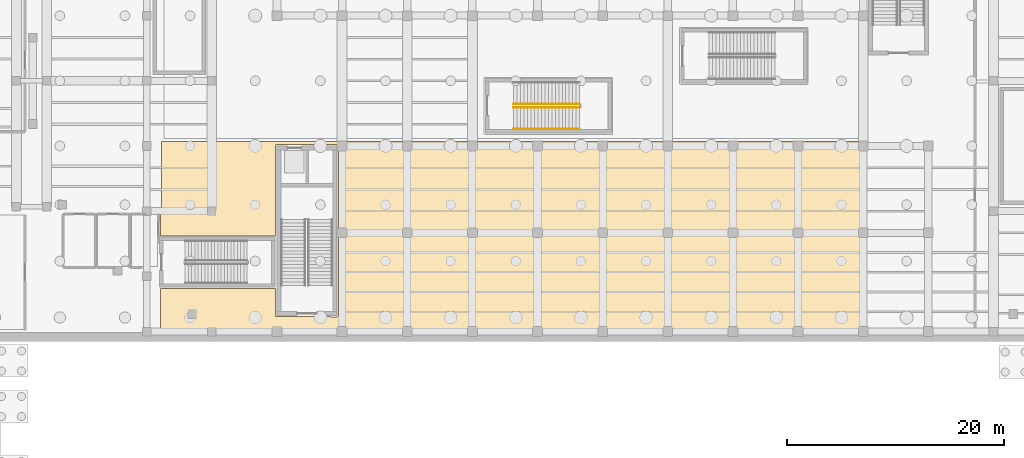
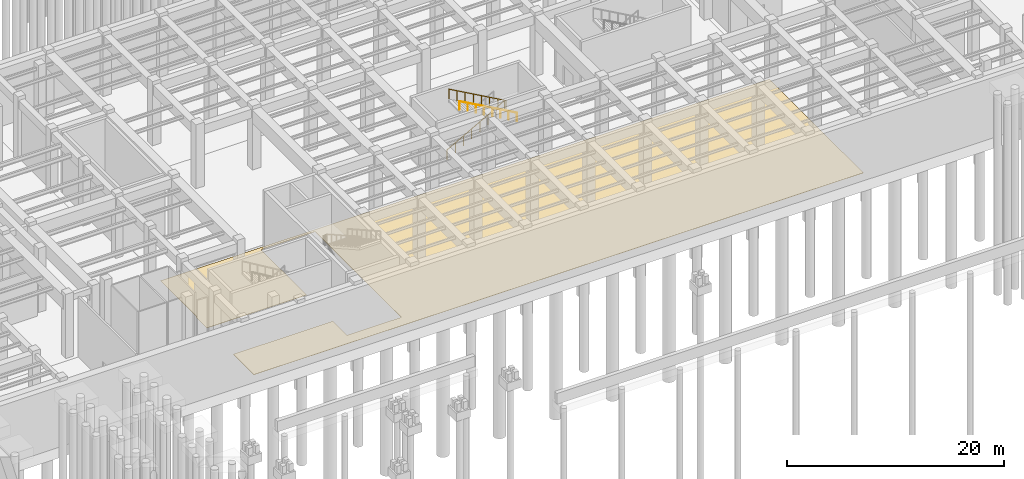
# One storey, part 25 of 30: 3 railings, 1 covering, 1 element without a shape of its own.
"""IFC4 building model written with IfcOpenShell, lengths in metres."""

import ifcopenshell
import ifcopenshell.guid

model = None  # the IFC model being written
_history = None  # IfcOwnerHistory: only IFC2X3 demands one
_inside = {}  # id of a spatial element -> (the spatial element, [elements in it])
_under = {}  # id of a project, library or spatial element -> (it, [spatial elements below it])
_declared = {}  # id of a project -> (the project, [libraries it declares])
_typed = {}  # id of a type object -> (the type object, [elements of that type])
_made_of = {}  # id of a material, layer set ... -> (it, [elements and type objects made of it])


def new_model(schema):
    """Start an empty IFC model of exactly this schema.

    Asked for "IFC4X3", IfcOpenShell would pick the latest addendum, in which some entities
    have other attributes; the version numbers below select the first issue.
    IFC2X3 requires an IfcOwnerHistory on every rooted entity: one is made here for all.
    """
    global model, _history
    if schema == "IFC4X3":
        model = ifcopenshell.file(schema_version=(4, 3, 0, 0))
    else:
        model = ifcopenshell.file(schema=schema)
    _inside.clear()
    _under.clear()
    _declared.clear()
    _typed.clear()
    _made_of.clear()
    _history = None
    if model.schema == "IFC2X3":
        org = make("IfcOrganization", Name="unknown")
        user = make(
            "IfcPersonAndOrganization",
            ThePerson=make("IfcPerson", FamilyName="unknown"),
            TheOrganization=org,
        )
        app = make(
            "IfcApplication",
            ApplicationDeveloper=org,
            Version="unknown",
            ApplicationFullName="unknown",
            ApplicationIdentifier="unknown",
        )
        _history = make(
            "IfcOwnerHistory",
            OwningUser=user,
            OwningApplication=app,
            ChangeAction="ADDED",
            CreationDate=0,
        )
    return model


def make(cls, **values):
    """One entity of the class cls with the attributes given. An attribute that is None is left unset."""
    return model.create_entity(
        cls, **{name: value for name, value in values.items() if value is not None}
    )


def rooted(cls, **values):
    """An entity with a GlobalId (a new one), such as an element, a storey or a relation."""
    return make(cls, GlobalId=ifcopenshell.guid.new(), OwnerHistory=_history, **values)


def si_unit(unit_type, name, prefix=None):
    """IfcSIUnit, for example si_unit("LENGTHUNIT", "METRE", prefix="MILLI")."""
    return make("IfcSIUnit", UnitType=unit_type, Prefix=prefix, Name=name)


def assignment(units):
    """IfcUnitAssignment: the units of a project."""
    return None if units is None else make("IfcUnitAssignment", Units=units)


def point(xyz):
    """IfcCartesianPoint."""
    return None if xyz is None else make("IfcCartesianPoint", Coordinates=xyz)


def direction(xyz):
    """IfcDirection."""
    return None if xyz is None else make("IfcDirection", DirectionRatios=xyz)


def frame(location, z_axis=None, x_axis=None):
    """IfcAxis2Placement3D, a coordinate frame: its origin and axes. An axis left out is left unset."""
    return make(
        "IfcAxis2Placement3D",
        Location=point(location),
        Axis=direction(z_axis),
        RefDirection=direction(x_axis),
    )


def frame_2d(location, x_axis=None):
    """IfcAxis2Placement2D, a coordinate frame in the plane: its origin and x axis."""
    return make(
        "IfcAxis2Placement2D", Location=point(location), RefDirection=direction(x_axis)
    )


def origin():
    """The frame at (0, 0, 0) with its axes left unset."""
    return frame((0.0, 0.0, 0.0))


def origin_2d():
    """The frame at (0, 0) in the plane with its x axis left unset."""
    return frame_2d((0.0, 0.0))


def place(relative_to, where):
    """IfcLocalPlacement: puts the frame where relative to a parent placement (None: the world)."""
    return make(
        "IfcLocalPlacement", PlacementRelTo=relative_to, RelativePlacement=where
    )


def context(
    kind, dimensions, precision=None, world=None, true_north=None, identifier=None
):
    """IfcGeometricRepresentationContext, for example the 3D "Model" context."""
    return make(
        "IfcGeometricRepresentationContext",
        ContextIdentifier=identifier,
        ContextType=kind,
        CoordinateSpaceDimension=dimensions,
        Precision=precision,
        WorldCoordinateSystem=world,
        TrueNorth=true_north,
    )


def subcontext(parent, identifier, kind, view, scale=None):
    """IfcGeometricRepresentationSubContext, for example "Body" below "Model"."""
    return make(
        "IfcGeometricRepresentationSubContext",
        ContextIdentifier=identifier,
        ContextType=kind,
        ParentContext=parent,
        TargetScale=scale,
        TargetView=view,
    )


def project(units=None, contexts=None):
    """IfcProject with its units and contexts."""
    return rooted(
        "IfcProject",
        Name="project",
        RepresentationContexts=contexts,
        UnitsInContext=assignment(units),
    )


def spatial(cls, under=None, at=None, **own):
    """A site, building, storey or space (cls), placed at a placement, below another one or the project."""
    s = rooted(cls, ObjectPlacement=at, **own)
    if under is not None:
        _under.setdefault(under.id(), (under, []))[1].append(s)
    return s


def polyline(points):
    """IfcPolyline through the points."""
    return make("IfcPolyline", Points=[point(p) for p in points])


def profile(cls, at=None, kind="AREA", **sizes):
    """A parametric profile (cls). Its sizes go by their IFC names, for example OverallWidth=200.0."""
    return make(cls, ProfileType=kind, Position=at, **sizes)


def circle(**sizes):
    """IfcCircleProfileDef."""
    return profile("IfcCircleProfileDef", **sizes)


def outline(outer, holes=None, kind="AREA"):
    """IfcArbitraryClosedProfileDef: a profile drawn as a closed curve; with holes, ...WithVoids."""
    if holes is None:
        return make("IfcArbitraryClosedProfileDef", ProfileType=kind, OuterCurve=outer)
    return make(
        "IfcArbitraryProfileDefWithVoids",
        ProfileType=kind,
        OuterCurve=outer,
        InnerCurves=holes,
    )


def extrude(swept, where, along, depth):
    """IfcExtrudedAreaSolid: the profile swept, set in the frame where, extruded along a direction by depth."""
    return make(
        "IfcExtrudedAreaSolid",
        SweptArea=swept,
        Position=where,
        ExtrudedDirection=direction(along),
        Depth=depth,
    )


def shape(context_of_items, identifier, shape_type, items):
    """IfcShapeRepresentation: the items that make up one representation, for example the "Body"."""
    return make(
        "IfcShapeRepresentation",
        ContextOfItems=context_of_items,
        RepresentationIdentifier=identifier,
        RepresentationType=shape_type,
        Items=items,
    )


def material(Name=None, Category=None):
    """IfcMaterial."""
    return make("IfcMaterial", Name=Name, Category=Category)


def layer(
    of_material, thickness, ventilated=None, Name=None, Category=None, Priority=None
):
    """IfcMaterialLayer: one layer of a wall or slab, of a material (None: an air gap)."""
    return make(
        "IfcMaterialLayer",
        Material=of_material,
        LayerThickness=thickness,
        IsVentilated=ventilated,
        Name=Name,
        Category=Category,
        Priority=Priority,
    )


def layer_set(layers, Name=None):
    """IfcMaterialLayerSet."""
    return make("IfcMaterialLayerSet", MaterialLayers=layers, LayerSetName=Name)


def made_of(thing, what):
    """Note that an element or type object is made of a material, layer set ...; save() writes the relation."""
    if what is not None:
        _made_of.setdefault(what.id(), (what, []))[1].append(thing)
    return thing


def type_object(cls, material=None, **own):
    """A type object (cls), such as IfcWallType, which elements share."""
    return made_of(rooted(cls, **own), material)


def element(
    cls,
    number,
    at=None,
    inside=None,
    cuts=None,
    type_object=None,
    material=None,
    context=None,
    identifier="Body",
    shape_type=None,
    held_by="IfcProductDefinitionShape",
    body=None,
    shapes=None,
    **own,
):
    """One element of the class cls, such as IfcWall. Its Tag is "e" and its number.

    at: its placement. inside: the storey or other place that contains it. cuts: it is an
    opening in that element (IfcRelVoidsElement). A single representation is given by context,
    identifier, shape_type and body (its items); several are given by shapes. held_by: the class
    of the entity that holds the representations. save() writes the other relations.
    """
    e = rooted(cls, Tag="e%d" % number, ObjectPlacement=at, **own)
    if body is not None:
        shapes = [shape(context, identifier, shape_type, body)]
    if shapes is not None:
        e.Representation = make(held_by, Representations=shapes)
    if inside is not None:
        _inside.setdefault(inside.id(), (inside, []))[1].append(e)
    if cuts is not None:
        rooted(
            "IfcRelVoidsElement", RelatingBuildingElement=cuts, RelatedOpeningElement=e
        )
    if type_object is not None:
        _typed.setdefault(type_object.id(), (type_object, []))[1].append(e)
    return made_of(e, material)


def aggregate(whole, parts):
    """IfcRelAggregates: a whole, such as a stair, and the parts it consists of."""
    return rooted("IfcRelAggregates", RelatingObject=whole, RelatedObjects=parts)


def save(model, path):
    """Write the relations noted so far, then the file.

    IfcRelAggregates (storeys below a building ...), IfcRelContainedInSpatialStructure (elements
    in a storey), IfcRelDefinesByType, IfcRelAssociatesMaterial and IfcRelDeclares: one each for
    every whole, place, type object, material and project.
    """
    for whole, parts in _under.values():
        aggregate(whole, parts)
    for where, things in _inside.values():
        rooted(
            "IfcRelContainedInSpatialStructure",
            RelatedElements=things,
            RelatingStructure=where,
        )
    for kind, things in _typed.values():
        rooted("IfcRelDefinesByType", RelatedObjects=things, RelatingType=kind)
    for what, things in _made_of.values():
        rooted("IfcRelAssociatesMaterial", RelatedObjects=things, RelatingMaterial=what)
    for by, libraries in _declared.values():
        rooted("IfcRelDeclares", RelatingContext=by, RelatedDefinitions=libraries)
    model.write(path)


model = new_model("IFC4")

# Units and contexts
model_context = context("Model", 3, precision=1e-05, world=origin(), true_north=direction((0.0, 1.0)))
body_context = subcontext(model_context, "Body", "Model", "MODEL_VIEW")
ifc_project = project(units=[si_unit("LENGTHUNIT", "METRE"), si_unit("AREAUNIT", "SQUARE_METRE"), si_unit("VOLUMEUNIT", "CUBIC_METRE"), si_unit("PLANEANGLEUNIT", "RADIAN"), si_unit("MASSUNIT", "GRAM", prefix="KILO")], contexts=[model_context])

# Site, building, storey
site_placement = place(None, origin())
site = spatial("IfcSite", under=ifc_project, at=site_placement, CompositionType="ELEMENT")
building_placement = place(site_placement, origin())
building = spatial("IfcBuilding", under=site, at=building_placement, Name="Kolvaren Corner Interchange", CompositionType="ELEMENT")
storey_placement = place(building_placement, frame((0.0, 0.0, -7.199951171875)))
storey = spatial("IfcBuildingStorey", under=building, at=storey_placement, Name="B1", CompositionType="ELEMENT", Elevation=-7.199951171875)

# Covering
ifc_material_1 = material(Name="Polished Niger Delta Granite Terrazzo Flooring", Category="masonry")
ifc_layer = layer(ifc_material_1, 0.030029296875)
ifc_layer_set = layer_set([ifc_layer], Name="Polished Niger Delta Granite Terrazzo Flooring")
covering_type = type_object("IfcCoveringType", Name="COV-FLR-TER30", PredefinedType="FLOORING", material=ifc_layer_set)
covering_placement = place(storey_placement, origin())
element("IfcCovering", 1, at=covering_placement, inside=storey, type_object=covering_type, Name="B1 Paid Metro Concourse Floor Finish", PredefinedType="FLOORING", context=body_context, shape_type="SweptSolid", body=[
    extrude(outline(polyline([(59.8701171875, 28.87255859375), (49.280029296875, 28.8701171875), (49.280029296875, 25.080078125), (114.02001953125, 25.080078125), (114.02001953125, 42.419921875), (49.3798828125, 42.419921875), (49.3798828125, 35.800048828125), (49.350830078125, 35.73828125), (49.280029296875, 35.719970703125), (49.280029296875, 33.72998046875), (59.8701171875, 33.727294921875), (59.8701171875, 42.050048828125), (59.883544921875, 42.094482421875), (59.949951171875, 42.1298828125), (65.550048828125, 42.1298828125), (65.61181640625, 42.100830078125), (65.6298828125, 42.050048828125), (65.623779296875, 26.3193359375), (65.594482421875, 26.283447265625), (65.550048828125, 26.27001953125), (59.91943359375, 26.276123046875), (59.883544921875, 26.3056640625), (59.8701171875, 26.35009765625), (59.8701171875, 28.87255859375)])), origin(), (0.0, 0.0, 1.0), 0.030029296875),
])

# Stair, railings
ifc_material_2 = material(Name="Concrete C35/45", Category="concrete")
stair_type = type_object("IfcStairType", Name="ST-PL-2100", PredefinedType="HALF_TURN_STAIR", material=ifc_material_2)
stair_placement = place(storey_placement, origin())
stair = element("IfcStair", 2, at=stair_placement, inside=storey, type_object=stair_type, Name="Metro Island Platform West Transfer Stair B1 to L01 Stair", PredefinedType="HALF_TURN_STAIR")
ifc_material_3 = material(Name="Powder-Coated Steel Stairwell Guardrail", Category="steel")
railing_type_1 = type_object("IfcRailingType", Name="RLT-STAIR-GRD1120", PredefinedType="GUARDRAIL", material=ifc_material_3)
railing_1_placement = place(storey_placement, frame((81.800048828125, 45.85009765625, 0.179931640625)))
railing_1 = element("IfcRailing", 3, at=railing_1_placement, type_object=railing_type_1, Name="Metro Island Platform West Transfer Stair B1 Lower Flight Well Guardrail", PredefinedType="GUARDRAIL", context=body_context, shape_type="SweptSolid", body=[
    extrude(circle(Radius=0.02392578125, at=origin_2d()), frame((0.0, 0.0, 1.09619140625), z_axis=(0.871574602437, 0.0, 0.490262901295), x_axis=(0.0, 1.0, 0.0)), (0.0, 0.0, 1.0), 6.9755859375),
    extrude(circle(Radius=0.02001953125, at=origin_2d()), origin(), (0.0, 0.0, 1.0), 1.072021484375),
    extrude(circle(Radius=0.02001953125, at=origin_2d()), frame((0.86865234375, 0.0, 0.488525390625)), (0.0, 0.0, 1.0), 1.072021484375),
    extrude(circle(Radius=0.02001953125, at=origin_2d()), frame((1.737060546875, 0.0, 0.97705078125)), (0.0, 0.0, 1.0), 1.072021484375),
    extrude(circle(Radius=0.02001953125, at=origin_2d()), frame((2.605712890625, 0.0, 1.465576171875)), (0.0, 0.0, 1.0), 1.072021484375),
    extrude(circle(Radius=0.02001953125, at=origin_2d()), frame((3.47412109375, 0.0, 1.954345703125)), (0.0, 0.0, 1.0), 1.072021484375),
    extrude(circle(Radius=0.02001953125, at=origin_2d()), frame((4.3427734375, 0.0, 2.44287109375)), (0.0, 0.0, 1.0), 1.072021484375),
    extrude(circle(Radius=0.02001953125, at=origin_2d()), frame((5.211181640625, 0.0, 2.931396484375)), (0.0, 0.0, 1.0), 1.072021484375),
    extrude(circle(Radius=0.02001953125, at=origin_2d()), frame((6.079833984375, 0.0, 3.419921875)), (0.0, 0.0, 1.0), 1.072021484375),
])
railing_2_placement = place(storey_placement, frame((87.8798828125, 45.550048828125, 3.780029296875)))
railing_2 = element("IfcRailing", 4, at=railing_2_placement, type_object=railing_type_1, Name="Metro Island Platform West Transfer Stair B1 Upper Flight Well Guardrail", PredefinedType="GUARDRAIL", context=body_context, shape_type="SweptSolid", body=[
    extrude(circle(Radius=0.02392578125, at=origin_2d()), frame((0.0, 0.0, 1.09619140625), z_axis=(-0.871574602437, 0.0, 0.490262901295), x_axis=(0.0, -1.0, 0.0)), (0.0, 0.0, 1.0), 6.9755859375),
    extrude(circle(Radius=0.02001953125, at=origin_2d()), origin(), (0.0, 0.0, 1.0), 1.072021484375),
    extrude(circle(Radius=0.02001953125, at=origin_2d()), frame((-0.86865234375, 0.0, 0.488525390625)), (0.0, 0.0, 1.0), 1.072021484375),
    extrude(circle(Radius=0.02001953125, at=origin_2d()), frame((-1.737060546875, 0.0, 0.97705078125)), (0.0, 0.0, 1.0), 1.072021484375),
    extrude(circle(Radius=0.02001953125, at=origin_2d()), frame((-2.605712890625, 0.0, 1.465576171875)), (0.0, 0.0, 1.0), 1.072021484375),
    extrude(circle(Radius=0.02001953125, at=origin_2d()), frame((-3.47412109375, 0.0, 1.954345703125)), (0.0, 0.0, 1.0), 1.072021484375),
    extrude(circle(Radius=0.02001953125, at=origin_2d()), frame((-4.3427734375, 0.0, 2.44287109375)), (0.0, 0.0, 1.0), 1.072021484375),
    extrude(circle(Radius=0.02001953125, at=origin_2d()), frame((-5.211181640625, 0.0, 2.931396484375)), (0.0, 0.0, 1.0), 1.072021484375),
    extrude(circle(Radius=0.02001953125, at=origin_2d()), frame((-6.079833984375, 0.0, 3.419921875)), (0.0, 0.0, 1.0), 1.072021484375),
])
ifc_material_4 = material(Name="Brushed Stainless Steel Stair Handrail", Category="steel")
railing_type_2 = type_object("IfcRailingType", Name="RLT-STAIR-HR950", PredefinedType="HANDRAIL", material=ifc_material_4)
railing_3_placement = place(storey_placement, frame((87.8798828125, 43.56005859375, 3.780029296875)))
railing_3 = element("IfcRailing", 5, at=railing_3_placement, type_object=railing_type_2, Name="Metro Island Platform West Transfer Stair B1 Upper Flight Wall Handrail", PredefinedType="HANDRAIL", context=body_context, shape_type="SweptSolid", body=[
    extrude(circle(Radius=0.02197265625, at=origin_2d()), frame((0.0, 0.0, 0.927978515625), z_axis=(-0.871574602437, 0.0, 0.490262901295), x_axis=(0.0, -1.0, 0.0)), (0.0, 0.0, 1.0), 6.9755859375),
    extrude(circle(Radius=0.01806640625, at=origin_2d()), origin(), (0.0, 0.0, 1.0), 0.906005859375),
    extrude(circle(Radius=0.01806640625, at=origin_2d()), frame((-0.86865234375, 0.0, 0.488525390625)), (0.0, 0.0, 1.0), 0.906005859375),
    extrude(circle(Radius=0.01806640625, at=origin_2d()), frame((-1.737060546875, 0.0, 0.97705078125)), (0.0, 0.0, 1.0), 0.906005859375),
    extrude(circle(Radius=0.01806640625, at=origin_2d()), frame((-2.605712890625, 0.0, 1.465576171875)), (0.0, 0.0, 1.0), 0.906005859375),
    extrude(circle(Radius=0.01806640625, at=origin_2d()), frame((-3.47412109375, 0.0, 1.954345703125)), (0.0, 0.0, 1.0), 0.906005859375),
    extrude(circle(Radius=0.01806640625, at=origin_2d()), frame((-4.3427734375, 0.0, 2.44287109375)), (0.0, 0.0, 1.0), 0.906005859375),
    extrude(circle(Radius=0.01806640625, at=origin_2d()), frame((-5.211181640625, 0.0, 2.931396484375)), (0.0, 0.0, 1.0), 0.906005859375),
    extrude(circle(Radius=0.01806640625, at=origin_2d()), frame((-6.079833984375, 0.0, 3.419921875)), (0.0, 0.0, 1.0), 0.906005859375),
])
aggregate(stair, [railing_1, railing_2, railing_3])

save(model, "model.ifc")
